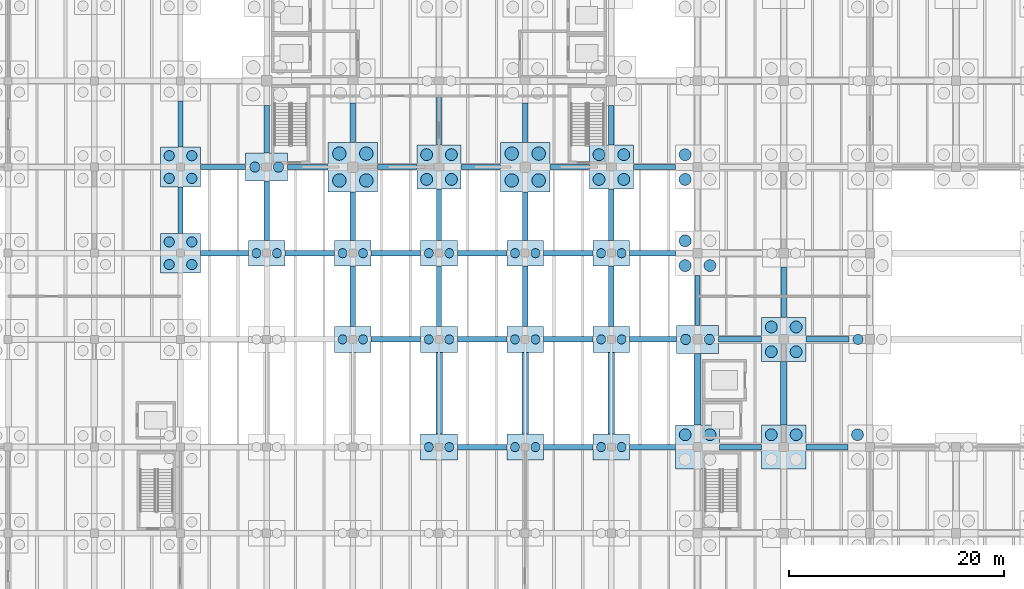
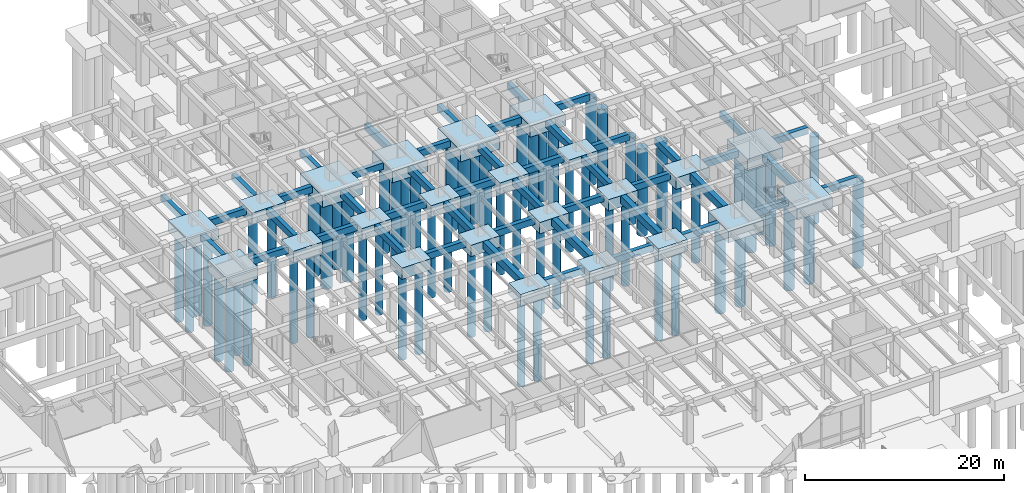
# One storey, part 5 of 44: 69 footings, 67 piles.
"""IFC4 building model written with IfcOpenShell, lengths in metres."""

from ifc_helpers import new_model, si_unit, direction, frame, origin, origin_2d, place, context, subcontext, project, spatial, rectangle, circle, extrude, material, material_profile, profile_set, type_object, element, save


model = new_model("IFC4")

# Units and contexts
model_context = context("Model", 3, precision=1e-05, world=origin(), true_north=direction((0.0, 1.0)))
body_context = subcontext(model_context, "Body", "Model", "MODEL_VIEW")
ifc_project = project(units=[si_unit("LENGTHUNIT", "METRE"), si_unit("AREAUNIT", "SQUARE_METRE"), si_unit("VOLUMEUNIT", "CUBIC_METRE"), si_unit("PLANEANGLEUNIT", "RADIAN"), si_unit("MASSUNIT", "GRAM", prefix="KILO")], contexts=[model_context])

# Site, building, storey
site_placement = place(None, origin())
site = spatial("IfcSite", under=ifc_project, at=site_placement, CompositionType="ELEMENT")
building_placement = place(site_placement, origin())
building = spatial("IfcBuilding", under=site, at=building_placement, Name="Pecanmere Concourse Central Library", CompositionType="ELEMENT")
storey_placement = place(building_placement, frame((0.0, 0.0, -5.39990234375)))
storey = spatial("IfcBuildingStorey", under=building, at=storey_placement, Name="B1", CompositionType="ELEMENT", Elevation=-5.39990234375)

# Footings
ifc_material_1 = material(Name="Concrete C40/50", Category="concrete")
ifc_material_profile_1 = material_profile(ifc_material_1, rectangle(XDim=0.5, YDim=0.800048828125, at=origin_2d()), Name="RC 500x800")
ifc_profile_set_1 = profile_set([ifc_material_profile_1], Name="Concrete C40/50")
footing_type_1 = type_object("IfcFootingType", Name="GBEAM_500x800", PredefinedType="FOOTING_BEAM", material=ifc_profile_set_1)
for number, where, z_axis, x_axis, name in (
    (1, (92.0, 64.0, -0.80029296875), (0.0, 0.0, 1.0), (1.0, 0.0, 0.0), "Foundation Tie Beam X-129"),
    (2, (100.0, 64.0, -0.80029296875), (0.0, 0.0, 1.0), (1.0, 0.0, 0.0), "Foundation Tie Beam X-130"),
):
    element("IfcFooting", number, at=place(storey_placement, frame(where, z_axis=z_axis, x_axis=x_axis)), inside=storey, type_object=footing_type_1, Name=name, PredefinedType="FOOTING_BEAM", context=body_context, shape_type="SweptSolid", body=[
        extrude(rectangle(XDim=4.60009765625, YDim=0.5, at=origin_2d()), origin(), (0.0, 0.0, 1.0), 0.800048828125),
    ])
footing_1_placement = place(storey_placement, frame((107.824951171875, 64.0, -0.80029296875), z_axis=(0.0, 0.0, 1.0), x_axis=(1.0, 0.0, 0.0)))
element("IfcFooting", 3, at=footing_1_placement, inside=storey, type_object=footing_type_1, Name="Foundation Tie Beam X-131", PredefinedType="FOOTING_BEAM", context=body_context, shape_type="SweptSolid", body=[
    extrude(rectangle(XDim=4.25, YDim=0.5, at=origin_2d()), origin(), (0.0, 0.0, 1.0), 0.800048828125),
])
for number, where, z_axis, x_axis, name in (
    (4, (116.0, 64.0, -0.80029296875), (0.0, 0.0, 1.0), (1.0, 0.0, 0.0), "Foundation Tie Beam X-132"),
    (5, (124.0, 64.0, -0.80029296875), (0.0, 0.0, 1.0), (1.0, 0.0, 0.0), "Foundation Tie Beam X-133"),
):
    element("IfcFooting", number, at=place(storey_placement, frame(where, z_axis=z_axis, x_axis=x_axis)), inside=storey, type_object=footing_type_1, Name=name, PredefinedType="FOOTING_BEAM", context=body_context, shape_type="SweptSolid", body=[
        extrude(rectangle(XDim=3.89990234375, YDim=0.5, at=origin_2d()), origin(), (0.0, 0.0, 1.0), 0.800048828125),
    ])
for number, where, z_axis, x_axis, name in (
    (6, (84.0, 74.0, -0.80029296875), (0.0, 0.0, 1.0), (1.0, 0.0, 0.0), "Foundation Tie Beam X-143"),
    (7, (92.0, 74.0, -0.80029296875), (0.0, 0.0, 1.0), (1.0, 0.0, 0.0), "Foundation Tie Beam X-144"),
    (8, (100.0, 74.0, -0.80029296875), (0.0, 0.0, 1.0), (1.0, 0.0, 0.0), "Foundation Tie Beam X-145"),
):
    element("IfcFooting", number, at=place(storey_placement, frame(where, z_axis=z_axis, x_axis=x_axis)), inside=storey, type_object=footing_type_1, Name=name, PredefinedType="FOOTING_BEAM", context=body_context, shape_type="SweptSolid", body=[
        extrude(rectangle(XDim=4.60009765625, YDim=0.5, at=origin_2d()), origin(), (0.0, 0.0, 1.0), 0.800048828125),
    ])
footing_2_placement = place(storey_placement, frame((107.875, 74.0, -0.80029296875), z_axis=(0.0, 0.0, 1.0), x_axis=(1.0, 0.0, 0.0)))
element("IfcFooting", 9, at=footing_2_placement, inside=storey, type_object=footing_type_1, Name="Foundation Tie Beam X-146", PredefinedType="FOOTING_BEAM", context=body_context, shape_type="SweptSolid", body=[
    extrude(rectangle(XDim=4.35009765625, YDim=0.5, at=origin_2d()), origin(), (0.0, 0.0, 1.0), 0.800048828125),
])
for number, where, z_axis, x_axis, name in (
    (10, (115.949951171875, 74.0, -0.80029296875), (0.0, 0.0, 1.0), (1.0, 0.0, 0.0), "Foundation Tie Beam X-147"),
    (11, (124.050048828125, 74.0, -0.80029296875), (0.0, 0.0, 1.0), (1.0, 0.0, 0.0), "Foundation Tie Beam X-148"),
):
    element("IfcFooting", number, at=place(storey_placement, frame(where, z_axis=z_axis, x_axis=x_axis)), inside=storey, type_object=footing_type_1, Name=name, PredefinedType="FOOTING_BEAM", context=body_context, shape_type="SweptSolid", body=[
        extrude(rectangle(XDim=4.0, YDim=0.5, at=origin_2d()), origin(), (0.0, 0.0, 1.0), 0.800048828125),
    ])
footing_3_placement = place(storey_placement, frame((68.074951171875, 82.0, -0.80029296875), z_axis=(0.0, 0.0, 1.0), x_axis=(1.0, 0.0, 0.0)))
element("IfcFooting", 12, at=footing_3_placement, inside=storey, type_object=footing_type_1, Name="Foundation Tie Beam X-155", PredefinedType="FOOTING_BEAM", context=body_context, shape_type="SweptSolid", body=[
    extrude(rectangle(XDim=4.449951171875, YDim=0.5, at=origin_2d()), origin(), (0.0, 0.0, 1.0), 0.800048828125),
])
for number, where, z_axis, x_axis, name in (
    (13, (76.0, 82.0, -0.80029296875), (0.0, 0.0, 1.0), (1.0, 0.0, 0.0), "Foundation Tie Beam X-156"),
    (14, (84.0, 82.0, -0.80029296875), (0.0, 0.0, 1.0), (1.0, 0.0, 0.0), "Foundation Tie Beam X-157"),
    (15, (92.0, 82.0, -0.80029296875), (0.0, 0.0, 1.0), (1.0, 0.0, 0.0), "Foundation Tie Beam X-158"),
    (16, (100.0, 82.0, -0.80029296875), (0.0, 0.0, 1.0), (1.0, 0.0, 0.0), "Foundation Tie Beam X-159"),
):
    element("IfcFooting", number, at=place(storey_placement, frame(where, z_axis=z_axis, x_axis=x_axis)), inside=storey, type_object=footing_type_1, Name=name, PredefinedType="FOOTING_BEAM", context=body_context, shape_type="SweptSolid", body=[
        extrude(rectangle(XDim=4.60009765625, YDim=0.5, at=origin_2d()), origin(), (0.0, 0.0, 1.0), 0.800048828125),
    ])
footing_4_placement = place(storey_placement, frame((107.824951171875, 82.0, -0.80029296875), z_axis=(0.0, 0.0, 1.0), x_axis=(1.0, 0.0, 0.0)))
element("IfcFooting", 17, at=footing_4_placement, inside=storey, type_object=footing_type_1, Name="Foundation Tie Beam X-160", PredefinedType="FOOTING_BEAM", context=body_context, shape_type="SweptSolid", body=[
    extrude(rectangle(XDim=4.25, YDim=0.5, at=origin_2d()), origin(), (0.0, 0.0, 1.0), 0.800048828125),
])
footing_5_placement = place(storey_placement, frame((67.949951171875, 90.0, -0.80029296875), z_axis=(0.0, 0.0, 1.0), x_axis=(1.0, 0.0, 0.0)))
element("IfcFooting", 18, at=footing_5_placement, inside=storey, type_object=footing_type_1, Name="Foundation Tie Beam X-170", PredefinedType="FOOTING_BEAM", context=body_context, shape_type="SweptSolid", body=[
    extrude(rectangle(XDim=4.199951171875, YDim=0.5, at=origin_2d()), origin(), (0.0, 0.0, 1.0), 0.800048828125),
])
footing_6_placement = place(storey_placement, frame((75.824951171875, 90.0, -0.80029296875), z_axis=(0.0, 0.0, 1.0), x_axis=(1.0, 0.0, 0.0)))
element("IfcFooting", 19, at=footing_6_placement, inside=storey, type_object=footing_type_1, Name="Foundation Tie Beam X-171", PredefinedType="FOOTING_BEAM", context=body_context, shape_type="SweptSolid", body=[
    extrude(rectangle(XDim=3.75, YDim=0.5, at=origin_2d()), origin(), (0.0, 0.0, 1.0), 0.800048828125),
])
for number, where, z_axis, x_axis, name in (
    (20, (84.125, 90.0, -0.80029296875), (0.0, 0.0, 1.0), (1.0, 0.0, 0.0), "Foundation Tie Beam X-172"),
    (21, (91.875, 90.0, -0.80029296875), (0.0, 0.0, 1.0), (1.0, 0.0, 0.0), "Foundation Tie Beam X-173"),
    (22, (100.125, 90.0, -0.80029296875), (0.0, 0.0, 1.0), (1.0, 0.0, 0.0), "Foundation Tie Beam X-174"),
):
    element("IfcFooting", number, at=place(storey_placement, frame(where, z_axis=z_axis, x_axis=x_axis)), inside=storey, type_object=footing_type_1, Name=name, PredefinedType="FOOTING_BEAM", context=body_context, shape_type="SweptSolid", body=[
        extrude(rectangle(XDim=3.64990234375, YDim=0.5, at=origin_2d()), origin(), (0.0, 0.0, 1.0), 0.800048828125),
    ])
footing_7_placement = place(storey_placement, frame((108.0, 90.0, -0.80029296875), z_axis=(0.0, 0.0, 1.0), x_axis=(1.0, 0.0, 0.0)))
element("IfcFooting", 23, at=footing_7_placement, inside=storey, type_object=footing_type_1, Name="Foundation Tie Beam X-175", PredefinedType="FOOTING_BEAM", context=body_context, shape_type="SweptSolid", body=[
    extrude(rectangle(XDim=3.89990234375, YDim=0.5, at=origin_2d()), origin(), (0.0, 0.0, 1.0), 0.800048828125),
])
for number, where, z_axis, x_axis, name in (
    (24, (64.0, 86.0, -0.80029296875), (0.0, 0.0, 1.0), (0.0, 1.0, 0.0), "Foundation Tie Beam Y-295"),
    (25, (64.0, 94.0, -0.80029296875), (0.0, 0.0, 1.0), (0.0, 1.0, 0.0), "Foundation Tie Beam Y-296"),
):
    element("IfcFooting", number, at=place(storey_placement, frame(where, z_axis=z_axis, x_axis=x_axis)), inside=storey, type_object=footing_type_1, Name=name, PredefinedType="FOOTING_BEAM", context=body_context, shape_type="SweptSolid", body=[
        extrude(rectangle(XDim=4.300048828125, YDim=0.5, at=origin_2d()), origin(), (0.0, 0.0, 1.0), 0.800048828125),
    ])
footing_8_placement = place(storey_placement, frame((72.0, 85.949951171875, -0.80029296875), z_axis=(0.0, 0.0, 1.0), x_axis=(0.0, 1.0, 0.0)))
element("IfcFooting", 26, at=footing_8_placement, inside=storey, type_object=footing_type_1, Name="Foundation Tie Beam Y-305", PredefinedType="FOOTING_BEAM", context=body_context, shape_type="SweptSolid", body=[
    extrude(rectangle(XDim=5.5, YDim=0.5, at=origin_2d()), origin(), (0.0, 0.0, 1.0), 0.800048828125),
])
footing_9_placement = place(storey_placement, frame((72.0, 93.5, -0.80029296875), z_axis=(0.0, 0.0, 1.0), x_axis=(0.0, 1.0, 0.0)))
element("IfcFooting", 27, at=footing_9_placement, inside=storey, type_object=footing_type_1, Name="Foundation Tie Beam Y-306", PredefinedType="FOOTING_BEAM", context=body_context, shape_type="SweptSolid", body=[
    extrude(rectangle(XDim=4.39990234375, YDim=0.5, at=origin_2d()), origin(), (0.0, 0.0, 1.0), 0.800048828125),
])
footing_10_placement = place(storey_placement, frame((80.0, 78.0, -0.80029296875), z_axis=(0.0, 0.0, 1.0), x_axis=(0.0, 1.0, 0.0)))
element("IfcFooting", 28, at=footing_10_placement, inside=storey, type_object=footing_type_1, Name="Foundation Tie Beam Y-316", PredefinedType="FOOTING_BEAM", context=body_context, shape_type="SweptSolid", body=[
    extrude(rectangle(XDim=5.60009765625, YDim=0.5, at=origin_2d()), origin(), (0.0, 0.0, 1.0), 0.800048828125),
])
footing_11_placement = place(storey_placement, frame((80.0, 85.449951171875, -0.80029296875), z_axis=(0.0, 0.0, 1.0), x_axis=(0.0, 1.0, 0.0)))
element("IfcFooting", 29, at=footing_11_placement, inside=storey, type_object=footing_type_1, Name="Foundation Tie Beam Y-317", PredefinedType="FOOTING_BEAM", context=body_context, shape_type="SweptSolid", body=[
    extrude(rectangle(XDim=4.5, YDim=0.5, at=origin_2d()), origin(), (0.0, 0.0, 1.0), 0.800048828125),
])
footing_12_placement = place(storey_placement, frame((80.0, 94.125, -0.80029296875), z_axis=(0.0, 0.0, 1.0), x_axis=(0.0, 1.0, 0.0)))
element("IfcFooting", 30, at=footing_12_placement, inside=storey, type_object=footing_type_1, Name="Foundation Tie Beam Y-318", PredefinedType="FOOTING_BEAM", context=body_context, shape_type="SweptSolid", body=[
    extrude(rectangle(XDim=3.64990234375, YDim=0.5, at=origin_2d()), origin(), (0.0, 0.0, 1.0), 0.800048828125),
])
footing_13_placement = place(storey_placement, frame((88.0, 78.0, -0.80029296875), z_axis=(0.0, 0.0, 1.0), x_axis=(0.0, 1.0, 0.0)))
element("IfcFooting", 31, at=footing_13_placement, inside=storey, type_object=footing_type_1, Name="Foundation Tie Beam Y-328", PredefinedType="FOOTING_BEAM", context=body_context, shape_type="SweptSolid", body=[
    extrude(rectangle(XDim=5.60009765625, YDim=0.5, at=origin_2d()), origin(), (0.0, 0.0, 1.0), 0.800048828125),
])
footing_14_placement = place(storey_placement, frame((88.0, 85.574951171875, -0.80029296875), z_axis=(0.0, 0.0, 1.0), x_axis=(0.0, 1.0, 0.0)))
element("IfcFooting", 32, at=footing_14_placement, inside=storey, type_object=footing_type_1, Name="Foundation Tie Beam Y-329", PredefinedType="FOOTING_BEAM", context=body_context, shape_type="SweptSolid", body=[
    extrude(rectangle(XDim=4.75, YDim=0.5, at=origin_2d()), origin(), (0.0, 0.0, 1.0), 0.800048828125),
])
footing_15_placement = place(storey_placement, frame((88.0, 94.375, -0.80029296875), z_axis=(0.0, 0.0, 1.0), x_axis=(0.0, 1.0, 0.0)))
element("IfcFooting", 33, at=footing_15_placement, inside=storey, type_object=footing_type_1, Name="Foundation Tie Beam Y-330", PredefinedType="FOOTING_BEAM", context=body_context, shape_type="SweptSolid", body=[
    extrude(rectangle(XDim=4.64990234375, YDim=0.5, at=origin_2d()), origin(), (0.0, 0.0, 1.0), 0.800048828125),
])
footing_16_placement = place(storey_placement, frame((96.0, 78.0, -0.80029296875), z_axis=(0.0, 0.0, 1.0), x_axis=(0.0, 1.0, 0.0)))
element("IfcFooting", 34, at=footing_16_placement, inside=storey, type_object=footing_type_1, Name="Foundation Tie Beam Y-340", PredefinedType="FOOTING_BEAM", context=body_context, shape_type="SweptSolid", body=[
    extrude(rectangle(XDim=5.60009765625, YDim=0.5, at=origin_2d()), origin(), (0.0, 0.0, 1.0), 0.800048828125),
])
footing_17_placement = place(storey_placement, frame((96.0, 85.449951171875, -0.80029296875), z_axis=(0.0, 0.0, 1.0), x_axis=(0.0, 1.0, 0.0)))
element("IfcFooting", 35, at=footing_17_placement, inside=storey, type_object=footing_type_1, Name="Foundation Tie Beam Y-341", PredefinedType="FOOTING_BEAM", context=body_context, shape_type="SweptSolid", body=[
    extrude(rectangle(XDim=4.5, YDim=0.5, at=origin_2d()), origin(), (0.0, 0.0, 1.0), 0.800048828125),
])
footing_18_placement = place(storey_placement, frame((96.0, 94.125, -0.80029296875), z_axis=(0.0, 0.0, 1.0), x_axis=(0.0, 1.0, 0.0)))
element("IfcFooting", 36, at=footing_18_placement, inside=storey, type_object=footing_type_1, Name="Foundation Tie Beam Y-342", PredefinedType="FOOTING_BEAM", context=body_context, shape_type="SweptSolid", body=[
    extrude(rectangle(XDim=3.64990234375, YDim=0.5, at=origin_2d()), origin(), (0.0, 0.0, 1.0), 0.800048828125),
])
footing_19_placement = place(storey_placement, frame((104.0, 78.0, -0.80029296875), z_axis=(0.0, 0.0, 1.0), x_axis=(0.0, 1.0, 0.0)))
element("IfcFooting", 37, at=footing_19_placement, inside=storey, type_object=footing_type_1, Name="Foundation Tie Beam Y-352", PredefinedType="FOOTING_BEAM", context=body_context, shape_type="SweptSolid", body=[
    extrude(rectangle(XDim=5.60009765625, YDim=0.5, at=origin_2d()), origin(), (0.0, 0.0, 1.0), 0.800048828125),
])
footing_20_placement = place(storey_placement, frame((104.0, 85.574951171875, -0.80029296875), z_axis=(0.0, 0.0, 1.0), x_axis=(0.0, 1.0, 0.0)))
element("IfcFooting", 38, at=footing_20_placement, inside=storey, type_object=footing_type_1, Name="Foundation Tie Beam Y-353", PredefinedType="FOOTING_BEAM", context=body_context, shape_type="SweptSolid", body=[
    extrude(rectangle(XDim=4.75, YDim=0.5, at=origin_2d()), origin(), (0.0, 0.0, 1.0), 0.800048828125),
])
footing_21_placement = place(storey_placement, frame((104.0, 93.875, -0.80029296875), z_axis=(0.0, 0.0, 1.0), x_axis=(0.0, 1.0, 0.0)))
element("IfcFooting", 39, at=footing_21_placement, inside=storey, type_object=footing_type_1, Name="Foundation Tie Beam Y-354", PredefinedType="FOOTING_BEAM", context=body_context, shape_type="SweptSolid", body=[
    extrude(rectangle(XDim=3.64990234375, YDim=0.5, at=origin_2d()), origin(), (0.0, 0.0, 1.0), 0.800048828125),
])
for number, where, z_axis, x_axis, name in (
    (40, (112.0, 77.625, -0.80029296875), (0.0, 0.0, 1.0), (0.0, 1.0, 0.0), "Foundation Tie Beam Y-364"),
    (41, (120.0, 78.375, -0.80029296875), (0.0, 0.0, 1.0), (0.0, 1.0, 0.0), "Foundation Tie Beam Y-374"),
):
    element("IfcFooting", number, at=place(storey_placement, frame(where, z_axis=z_axis, x_axis=x_axis)), inside=storey, type_object=footing_type_1, Name=name, PredefinedType="FOOTING_BEAM", context=body_context, shape_type="SweptSolid", body=[
        extrude(rectangle(XDim=4.64990234375, YDim=0.5, at=origin_2d()), origin(), (0.0, 0.0, 1.0), 0.800048828125),
    ])
ifc_material_2 = material(Name="Concrete C40/50", Category="concrete")
ifc_material_profile_2 = material_profile(ifc_material_2, rectangle(XDim=0.60009765625, YDim=0.89990234375, at=origin_2d()), Name="RC 600x900")
ifc_profile_set_2 = profile_set([ifc_material_profile_2], Name="Concrete C40/50")
footing_type_2 = type_object("IfcFootingType", Name="GBEAM_600x900", PredefinedType="FOOTING_BEAM", material=ifc_profile_set_2)
for number, where, z_axis, x_axis, name in (
    (42, (88.0, 69.0, -0.900146484375), (0.0, 0.0, 1.0), (0.0, 1.0, 0.0), "Foundation Tie Beam Y-327"),
    (43, (96.0, 69.0, -0.900146484375), (0.0, 0.0, 1.0), (0.0, 1.0, 0.0), "Foundation Tie Beam Y-339"),
    (44, (104.0, 69.0, -0.900146484375), (0.0, 0.0, 1.0), (0.0, 1.0, 0.0), "Foundation Tie Beam Y-351"),
):
    element("IfcFooting", number, at=place(storey_placement, frame(where, z_axis=z_axis, x_axis=x_axis)), inside=storey, type_object=footing_type_2, Name=name, PredefinedType="FOOTING_BEAM", context=body_context, shape_type="SweptSolid", body=[
        extrude(rectangle(XDim=7.60009765625, YDim=0.60009765625, at=origin_2d()), origin(), (0.0, 0.0, 1.0), 0.89990234375),
    ])
footing_22_placement = place(storey_placement, frame((112.0, 69.375, -0.900146484375), z_axis=(0.0, 0.0, 1.0), x_axis=(0.0, 1.0, 0.0)))
element("IfcFooting", 45, at=footing_22_placement, inside=storey, type_object=footing_type_2, Name="Foundation Tie Beam Y-363", PredefinedType="FOOTING_BEAM", context=body_context, shape_type="SweptSolid", body=[
    extrude(rectangle(XDim=6.64990234375, YDim=0.60009765625, at=origin_2d()), origin(), (0.0, 0.0, 1.0), 0.89990234375),
])
footing_23_placement = place(storey_placement, frame((120.0, 69.0, -0.900146484375), z_axis=(0.0, 0.0, 1.0), x_axis=(0.0, 1.0, 0.0)))
element("IfcFooting", 46, at=footing_23_placement, inside=storey, type_object=footing_type_2, Name="Foundation Tie Beam Y-373", PredefinedType="FOOTING_BEAM", context=body_context, shape_type="SweptSolid", body=[
    extrude(rectangle(XDim=5.89990234375, YDim=0.60009765625, at=origin_2d()), origin(), (0.0, 0.0, 1.0), 0.89990234375),
])
ifc_material_3 = material(Name="Concrete C40/50", Category="concrete")
footing_type_3 = type_object("IfcFootingType", Name="PCAP_3400x2400", PredefinedType="PILE_CAP", material=ifc_material_3)
for number, where, z_axis, x_axis, name in (
    (47, (72.0, 82.0, -1.400146484375), (0.0, 0.0, 1.0), (1.0, 0.0, 0.0), "Drilled Pier Cap PC-05 at (72,82)"),
    (48, (80.0, 74.0, -1.400146484375), (0.0, 0.0, 1.0), (1.0, 0.0, 0.0), "Drilled Pier Cap PC-05 at (80,74)"),
    (49, (80.0, 82.0, -1.400146484375), (0.0, 0.0, 1.0), (1.0, 0.0, 0.0), "Drilled Pier Cap PC-05 at (80,82)"),
    (50, (88.0, 64.0, -1.400146484375), (0.0, 0.0, 1.0), (1.0, 0.0, 0.0), "Drilled Pier Cap PC-05 at (88,64)"),
    (51, (88.0, 74.0, -1.400146484375), (0.0, 0.0, 1.0), (1.0, 0.0, 0.0), "Drilled Pier Cap PC-05 at (88,74)"),
    (52, (88.0, 82.0, -1.400146484375), (0.0, 0.0, 1.0), (1.0, 0.0, 0.0), "Drilled Pier Cap PC-05 at (88,82)"),
    (53, (96.0, 64.0, -1.400146484375), (0.0, 0.0, 1.0), (1.0, 0.0, 0.0), "Drilled Pier Cap PC-05 at (96,64)"),
    (54, (96.0, 74.0, -1.400146484375), (0.0, 0.0, 1.0), (1.0, 0.0, 0.0), "Drilled Pier Cap PC-05 at (96,74)"),
    (55, (96.0, 82.0, -1.400146484375), (0.0, 0.0, 1.0), (1.0, 0.0, 0.0), "Drilled Pier Cap PC-05 at (96,82)"),
    (56, (104.0, 64.0, -1.400146484375), (0.0, 0.0, 1.0), (1.0, 0.0, 0.0), "Drilled Pier Cap PC-05 at (104,64)"),
    (57, (104.0, 74.0, -1.400146484375), (0.0, 0.0, 1.0), (1.0, 0.0, 0.0), "Drilled Pier Cap PC-05 at (104,74)"),
    (58, (104.0, 82.0, -1.400146484375), (0.0, 0.0, 1.0), (1.0, 0.0, 0.0), "Drilled Pier Cap PC-05 at (104,82)"),
):
    element("IfcFooting", number, at=place(storey_placement, frame(where, z_axis=z_axis, x_axis=x_axis)), inside=storey, type_object=footing_type_3, Name=name, PredefinedType="PILE_CAP", context=body_context, shape_type="SweptSolid", body=[
        extrude(rectangle(XDim=3.39990234375, YDim=2.39990234375, at=origin_2d()), origin(), (0.0, 0.0, 1.0), 1.39990234375),
    ])
ifc_material_4 = material(Name="Concrete C40/50", Category="concrete")
footing_type_4 = type_object("IfcFootingType", Name="PCAP_3700x3700", PredefinedType="PILE_CAP", material=ifc_material_4)
for number, where, z_axis, x_axis, name in (
    (59, (64.0, 82.0, -1.400146484375), (0.0, 0.0, 1.0), (1.0, 0.0, 0.0), "Drilled Pier Cap PC-03 at (64,82)"),
    (60, (64.0, 90.0, -1.400146484375), (0.0, 0.0, 1.0), (1.0, 0.0, 0.0), "Drilled Pier Cap PC-03 at (64,90)"),
):
    element("IfcFooting", number, at=place(storey_placement, frame(where, z_axis=z_axis, x_axis=x_axis)), inside=storey, type_object=footing_type_4, Name=name, PredefinedType="PILE_CAP", context=body_context, shape_type="SweptSolid", body=[
        extrude(rectangle(XDim=3.699951171875, YDim=3.699951171875, at=origin_2d()), origin(), (0.0, 0.0, 1.0), 1.39990234375),
    ])
ifc_material_5 = material(Name="Concrete C40/50", Category="concrete")
footing_type_5 = type_object("IfcFootingType", Name="PCAP_3900x2600", PredefinedType="PILE_CAP", material=ifc_material_5)
for number, where, z_axis, x_axis, name in (
    (61, (72.0, 90.0, -1.400146484375), (0.0, 0.0, 1.0), (1.0, 0.0, 0.0), "Drilled Pier Cap PC-04 at (72,90)"),
    (62, (112.0, 74.0, -1.400146484375), (0.0, 0.0, 1.0), (1.0, 0.0, 0.0), "Drilled Pier Cap PC-04 at (112,74)"),
):
    element("IfcFooting", number, at=place(storey_placement, frame(where, z_axis=z_axis, x_axis=x_axis)), inside=storey, type_object=footing_type_5, Name=name, PredefinedType="PILE_CAP", context=body_context, shape_type="SweptSolid", body=[
        extrude(rectangle(XDim=3.89990234375, YDim=2.60009765625, at=origin_2d()), origin(), (0.0, 0.0, 1.0), 1.39990234375),
    ])
ifc_material_6 = material(Name="Concrete C40/50", Category="concrete")
footing_type_6 = type_object("IfcFootingType", Name="PCAP_4100x4100", PredefinedType="PILE_CAP", material=ifc_material_6)
for number, where, z_axis, x_axis, name in (
    (63, (88.0, 90.0, -1.400146484375), (0.0, 0.0, 1.0), (1.0, 0.0, 0.0), "Drilled Pier Cap PC-02 at (88,90)"),
    (64, (104.0, 90.0, -1.400146484375), (0.0, 0.0, 1.0), (1.0, 0.0, 0.0), "Drilled Pier Cap PC-02 at (104,90)"),
    (65, (112.0, 64.0, -1.400146484375), (0.0, 0.0, 1.0), (1.0, 0.0, 0.0), "Drilled Pier Cap PC-02 at (112,64)"),
    (66, (120.0, 64.0, -1.400146484375), (0.0, 0.0, 1.0), (1.0, 0.0, 0.0), "Drilled Pier Cap PC-02 at (120,64)"),
    (67, (120.0, 74.0, -1.400146484375), (0.0, 0.0, 1.0), (1.0, 0.0, 0.0), "Drilled Pier Cap PC-02 at (120,74)"),
):
    element("IfcFooting", number, at=place(storey_placement, frame(where, z_axis=z_axis, x_axis=x_axis)), inside=storey, type_object=footing_type_6, Name=name, PredefinedType="PILE_CAP", context=body_context, shape_type="SweptSolid", body=[
        extrude(rectangle(XDim=4.10009765625, YDim=4.10009765625, at=origin_2d()), origin(), (0.0, 0.0, 1.0), 1.39990234375),
    ])
ifc_material_7 = material(Name="Concrete C40/50", Category="concrete")
footing_type_7 = type_object("IfcFootingType", Name="PCAP_4600x4600", PredefinedType="PILE_CAP", material=ifc_material_7)
for number, where, z_axis, x_axis, name in (
    (68, (80.0, 90.0, -1.400146484375), (0.0, 0.0, 1.0), (1.0, 0.0, 0.0), "Drilled Pier Cap PC-01 at (80,90)"),
    (69, (96.0, 90.0, -1.400146484375), (0.0, 0.0, 1.0), (1.0, 0.0, 0.0), "Drilled Pier Cap PC-01 at (96,90)"),
):
    element("IfcFooting", number, at=place(storey_placement, frame(where, z_axis=z_axis, x_axis=x_axis)), inside=storey, type_object=footing_type_7, Name=name, PredefinedType="PILE_CAP", context=body_context, shape_type="SweptSolid", body=[
        extrude(rectangle(XDim=4.60009765625, YDim=4.60009765625, at=origin_2d()), origin(), (0.0, 0.0, 1.0), 1.39990234375),
    ])

# Piles
ifc_material_8 = material(Name="Concrete C35/45", Category="concrete")
ifc_material_profile_3 = material_profile(ifc_material_8, circle(Radius=0.550048828125, at=origin_2d()), Name="PIER D1100")
ifc_profile_set_3 = profile_set([ifc_material_profile_3], Name="Concrete C35/45")
pile_type_1 = type_object("IfcPileType", Name="PILE_D1100", PredefinedType="BORED", material=ifc_profile_set_3)
for number, where, z_axis, x_axis, name in (
    (70, (86.85009765625, 88.85009765625, -1.300048828125), (0.0, 0.0, -1.0), (1.0, 0.0, 0.0), "Bored Pier PL-03 122.1"),
    (71, (89.14990234375, 88.85009765625, -1.300048828125), (0.0, 0.0, -1.0), (1.0, 0.0, 0.0), "Bored Pier PL-03 122.2"),
    (72, (86.85009765625, 91.14990234375, -1.300048828125), (0.0, 0.0, -1.0), (1.0, 0.0, 0.0), "Bored Pier PL-03 122.3"),
    (73, (89.14990234375, 91.14990234375, -1.300048828125), (0.0, 0.0, -1.0), (1.0, 0.0, 0.0), "Bored Pier PL-03 122.4"),
    (74, (102.85009765625, 88.85009765625, -1.300048828125), (0.0, 0.0, -1.0), (1.0, 0.0, 0.0), "Bored Pier PL-03 148.1"),
    (75, (105.14990234375, 88.85009765625, -1.300048828125), (0.0, 0.0, -1.0), (1.0, 0.0, 0.0), "Bored Pier PL-03 148.2"),
    (76, (102.85009765625, 91.14990234375, -1.300048828125), (0.0, 0.0, -1.0), (1.0, 0.0, 0.0), "Bored Pier PL-03 148.3"),
    (77, (105.14990234375, 91.14990234375, -1.300048828125), (0.0, 0.0, -1.0), (1.0, 0.0, 0.0), "Bored Pier PL-03 148.4"),
    (78, (110.85009765625, 65.14990234375, -1.300048828125), (0.0, 0.0, -1.0), (1.0, 0.0, 0.0), "Bored Pier PL-03 158.3"),
    (79, (113.14990234375, 65.14990234375, -1.300048828125), (0.0, 0.0, -1.0), (1.0, 0.0, 0.0), "Bored Pier PL-03 158.4"),
    (80, (110.85009765625, 80.85009765625, -1.300048828125), (0.0, 0.0, -1.0), (1.0, 0.0, 0.0), "Bored Pier PL-03 160.1"),
    (81, (113.14990234375, 80.85009765625, -1.300048828125), (0.0, 0.0, -1.0), (1.0, 0.0, 0.0), "Bored Pier PL-03 160.2"),
    (82, (110.85009765625, 83.14990234375, -1.300048828125), (0.0, 0.0, -1.0), (1.0, 0.0, 0.0), "Bored Pier PL-03 160.3"),
    (83, (110.85009765625, 88.85009765625, -1.300048828125), (0.0, 0.0, -1.0), (1.0, 0.0, 0.0), "Bored Pier PL-03 161.1"),
    (84, (110.85009765625, 91.14990234375, -1.300048828125), (0.0, 0.0, -1.0), (1.0, 0.0, 0.0), "Bored Pier PL-03 161.3"),
    (85, (118.85009765625, 65.14990234375, -1.300048828125), (0.0, 0.0, -1.0), (1.0, 0.0, 0.0), "Bored Pier PL-03 169.3"),
    (86, (121.14990234375, 65.14990234375, -1.300048828125), (0.0, 0.0, -1.0), (1.0, 0.0, 0.0), "Bored Pier PL-03 169.4"),
    (87, (118.85009765625, 72.85009765625, -1.300048828125), (0.0, 0.0, -1.0), (1.0, 0.0, 0.0), "Bored Pier PL-03 170.1"),
    (88, (121.14990234375, 72.85009765625, -1.300048828125), (0.0, 0.0, -1.0), (1.0, 0.0, 0.0), "Bored Pier PL-03 170.2"),
    (89, (118.85009765625, 75.14990234375, -1.300048828125), (0.0, 0.0, -1.0), (1.0, 0.0, 0.0), "Bored Pier PL-03 170.3"),
    (90, (121.14990234375, 75.14990234375, -1.300048828125), (0.0, 0.0, -1.0), (1.0, 0.0, 0.0), "Bored Pier PL-03 170.4"),
    (91, (126.85009765625, 65.14990234375, -1.300048828125), (0.0, 0.0, -1.0), (1.0, 0.0, 0.0), "Bored Pier PL-03 182.3"),
):
    element("IfcPile", number, at=place(storey_placement, frame(where, z_axis=z_axis, x_axis=x_axis)), inside=storey, type_object=pile_type_1, Name=name, PredefinedType="BORED", context=body_context, shape_type="SweptSolid", body=[
        extrude(circle(Radius=0.550048828125, at=origin_2d()), origin(), (0.0, 0.0, 1.0), 10.699951171875),
    ])
ifc_material_9 = material(Name="Concrete C35/45", Category="concrete")
ifc_material_profile_4 = material_profile(ifc_material_9, circle(Radius=0.625, at=origin_2d()), Name="PIER D1250")
ifc_profile_set_4 = profile_set([ifc_material_profile_4], Name="Concrete C35/45")
pile_type_2 = type_object("IfcPileType", Name="PILE_D1250", PredefinedType="BORED", material=ifc_profile_set_4)
for number, where, z_axis, x_axis, name in (
    (92, (78.75, 88.75, -1.300048828125), (0.0, 0.0, -1.0), (1.0, 0.0, 0.0), "Bored Pier PL-02 109.1"),
    (93, (81.25, 88.75, -1.300048828125), (0.0, 0.0, -1.0), (1.0, 0.0, 0.0), "Bored Pier PL-02 109.2"),
    (94, (78.75, 91.25, -1.300048828125), (0.0, 0.0, -1.0), (1.0, 0.0, 0.0), "Bored Pier PL-02 109.3"),
    (95, (81.25, 91.25, -1.300048828125), (0.0, 0.0, -1.0), (1.0, 0.0, 0.0), "Bored Pier PL-02 109.4"),
    (96, (94.75, 88.75, -1.300048828125), (0.0, 0.0, -1.0), (1.0, 0.0, 0.0), "Bored Pier PL-02 135.1"),
    (97, (97.25, 88.75, -1.300048828125), (0.0, 0.0, -1.0), (1.0, 0.0, 0.0), "Bored Pier PL-02 135.2"),
    (98, (94.75, 91.25, -1.300048828125), (0.0, 0.0, -1.0), (1.0, 0.0, 0.0), "Bored Pier PL-02 135.3"),
    (99, (97.25, 91.25, -1.300048828125), (0.0, 0.0, -1.0), (1.0, 0.0, 0.0), "Bored Pier PL-02 135.4"),
):
    element("IfcPile", number, at=place(storey_placement, frame(where, z_axis=z_axis, x_axis=x_axis)), inside=storey, type_object=pile_type_2, Name=name, PredefinedType="BORED", context=body_context, shape_type="SweptSolid", body=[
        extrude(circle(Radius=0.625, at=origin_2d()), origin(), (0.0, 0.0, 1.0), 10.699951171875),
    ])
ifc_material_10 = material(Name="Concrete C35/45", Category="concrete")
ifc_material_profile_5 = material_profile(ifc_material_10, circle(Radius=0.425048828125, at=origin_2d()), Name="PIER D850")
ifc_profile_set_5 = profile_set([ifc_material_profile_5], Name="Concrete C35/45")
pile_type_3 = type_object("IfcPileType", Name="PILE_D850", PredefinedType="BORED", material=ifc_profile_set_5)
for number, where, z_axis, x_axis, name in (
    (100, (71.050048828125, 82.0, -1.300048828125), (0.0, 0.0, -1.0), (1.0, 0.0, 0.0), "Bored Pier PL-05 095.1"),
    (101, (72.949951171875, 82.0, -1.300048828125), (0.0, 0.0, -1.0), (1.0, 0.0, 0.0), "Bored Pier PL-05 095.2"),
    (102, (79.050048828125, 74.0, -1.300048828125), (0.0, 0.0, -1.0), (1.0, 0.0, 0.0), "Bored Pier PL-05 107.1"),
    (103, (80.949951171875, 74.0, -1.300048828125), (0.0, 0.0, -1.0), (1.0, 0.0, 0.0), "Bored Pier PL-05 107.2"),
    (104, (79.050048828125, 82.0, -1.300048828125), (0.0, 0.0, -1.0), (1.0, 0.0, 0.0), "Bored Pier PL-05 108.1"),
    (105, (80.949951171875, 82.0, -1.300048828125), (0.0, 0.0, -1.0), (1.0, 0.0, 0.0), "Bored Pier PL-05 108.2"),
    (106, (87.050048828125, 64.0, -1.300048828125), (0.0, 0.0, -1.0), (1.0, 0.0, 0.0), "Bored Pier PL-05 119.1"),
    (107, (88.949951171875, 64.0, -1.300048828125), (0.0, 0.0, -1.0), (1.0, 0.0, 0.0), "Bored Pier PL-05 119.2"),
    (108, (87.050048828125, 74.0, -1.300048828125), (0.0, 0.0, -1.0), (1.0, 0.0, 0.0), "Bored Pier PL-05 120.1"),
    (109, (88.949951171875, 74.0, -1.300048828125), (0.0, 0.0, -1.0), (1.0, 0.0, 0.0), "Bored Pier PL-05 120.2"),
    (110, (87.050048828125, 82.0, -1.300048828125), (0.0, 0.0, -1.0), (1.0, 0.0, 0.0), "Bored Pier PL-05 121.1"),
    (111, (88.949951171875, 82.0, -1.300048828125), (0.0, 0.0, -1.0), (1.0, 0.0, 0.0), "Bored Pier PL-05 121.2"),
    (112, (95.050048828125, 64.0, -1.300048828125), (0.0, 0.0, -1.0), (1.0, 0.0, 0.0), "Bored Pier PL-05 132.1"),
    (113, (96.949951171875, 64.0, -1.300048828125), (0.0, 0.0, -1.0), (1.0, 0.0, 0.0), "Bored Pier PL-05 132.2"),
    (114, (95.050048828125, 74.0, -1.300048828125), (0.0, 0.0, -1.0), (1.0, 0.0, 0.0), "Bored Pier PL-05 133.1"),
    (115, (96.949951171875, 74.0, -1.300048828125), (0.0, 0.0, -1.0), (1.0, 0.0, 0.0), "Bored Pier PL-05 133.2"),
    (116, (95.050048828125, 82.0, -1.300048828125), (0.0, 0.0, -1.0), (1.0, 0.0, 0.0), "Bored Pier PL-05 134.1"),
    (117, (96.949951171875, 82.0, -1.300048828125), (0.0, 0.0, -1.0), (1.0, 0.0, 0.0), "Bored Pier PL-05 134.2"),
    (118, (103.050048828125, 64.0, -1.300048828125), (0.0, 0.0, -1.0), (1.0, 0.0, 0.0), "Bored Pier PL-05 145.1"),
    (119, (104.949951171875, 64.0, -1.300048828125), (0.0, 0.0, -1.0), (1.0, 0.0, 0.0), "Bored Pier PL-05 145.2"),
    (120, (103.050048828125, 74.0, -1.300048828125), (0.0, 0.0, -1.0), (1.0, 0.0, 0.0), "Bored Pier PL-05 146.1"),
    (121, (104.949951171875, 74.0, -1.300048828125), (0.0, 0.0, -1.0), (1.0, 0.0, 0.0), "Bored Pier PL-05 146.2"),
    (122, (103.050048828125, 82.0, -1.300048828125), (0.0, 0.0, -1.0), (1.0, 0.0, 0.0), "Bored Pier PL-05 147.1"),
    (123, (104.949951171875, 82.0, -1.300048828125), (0.0, 0.0, -1.0), (1.0, 0.0, 0.0), "Bored Pier PL-05 147.2"),
):
    element("IfcPile", number, at=place(storey_placement, frame(where, z_axis=z_axis, x_axis=x_axis)), inside=storey, type_object=pile_type_3, Name=name, PredefinedType="BORED", context=body_context, shape_type="SweptSolid", body=[
        extrude(circle(Radius=0.425048828125, at=origin_2d()), origin(), (0.0, 0.0, 1.0), 10.699951171875),
    ])
ifc_material_11 = material(Name="Concrete C35/45", Category="concrete")
ifc_material_profile_6 = material_profile(ifc_material_11, circle(Radius=0.47509765625, at=origin_2d()), Name="PIER D950")
ifc_profile_set_6 = profile_set([ifc_material_profile_6], Name="Concrete C35/45")
pile_type_4 = type_object("IfcPileType", Name="PILE_D950", PredefinedType="BORED", material=ifc_profile_set_6)
for number, where, z_axis, x_axis, name in (
    (124, (62.949951171875, 80.949951171875, -1.300048828125), (0.0, 0.0, -1.0), (1.0, 0.0, 0.0), "Bored Pier PL-04 084.1"),
    (125, (65.050048828125, 80.949951171875, -1.300048828125), (0.0, 0.0, -1.0), (1.0, 0.0, 0.0), "Bored Pier PL-04 084.2"),
    (126, (62.949951171875, 83.050048828125, -1.300048828125), (0.0, 0.0, -1.0), (1.0, 0.0, 0.0), "Bored Pier PL-04 084.3"),
    (127, (65.050048828125, 83.050048828125, -1.300048828125), (0.0, 0.0, -1.0), (1.0, 0.0, 0.0), "Bored Pier PL-04 084.4"),
    (128, (62.949951171875, 88.949951171875, -1.300048828125), (0.0, 0.0, -1.0), (1.0, 0.0, 0.0), "Bored Pier PL-04 085.1"),
    (129, (65.050048828125, 88.949951171875, -1.300048828125), (0.0, 0.0, -1.0), (1.0, 0.0, 0.0), "Bored Pier PL-04 085.2"),
    (130, (62.949951171875, 91.050048828125, -1.300048828125), (0.0, 0.0, -1.0), (1.0, 0.0, 0.0), "Bored Pier PL-04 085.3"),
    (131, (65.050048828125, 91.050048828125, -1.300048828125), (0.0, 0.0, -1.0), (1.0, 0.0, 0.0), "Bored Pier PL-04 085.4"),
    (132, (70.89990234375, 90.0, -1.300048828125), (0.0, 0.0, -1.0), (1.0, 0.0, 0.0), "Bored Pier PL-04 096.1"),
    (133, (73.10009765625, 90.0, -1.300048828125), (0.0, 0.0, -1.0), (1.0, 0.0, 0.0), "Bored Pier PL-04 096.2"),
    (134, (110.89990234375, 74.0, -1.300048828125), (0.0, 0.0, -1.0), (1.0, 0.0, 0.0), "Bored Pier PL-04 159.1"),
    (135, (113.10009765625, 74.0, -1.300048828125), (0.0, 0.0, -1.0), (1.0, 0.0, 0.0), "Bored Pier PL-04 159.2"),
    (136, (126.89990234375, 74.0, -1.300048828125), (0.0, 0.0, -1.0), (1.0, 0.0, 0.0), "Bored Pier PL-04 183.1"),
):
    element("IfcPile", number, at=place(storey_placement, frame(where, z_axis=z_axis, x_axis=x_axis)), inside=storey, type_object=pile_type_4, Name=name, PredefinedType="BORED", context=body_context, shape_type="SweptSolid", body=[
        extrude(circle(Radius=0.47509765625, at=origin_2d()), origin(), (0.0, 0.0, 1.0), 10.699951171875),
    ])

save(model, "model.ifc")
